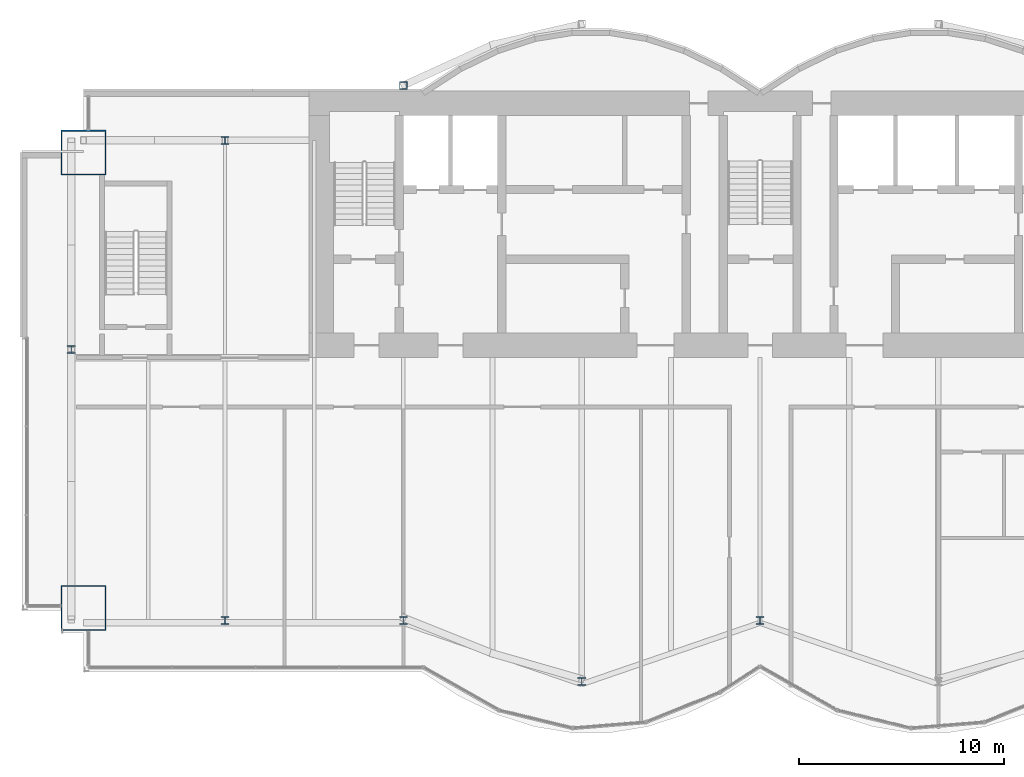
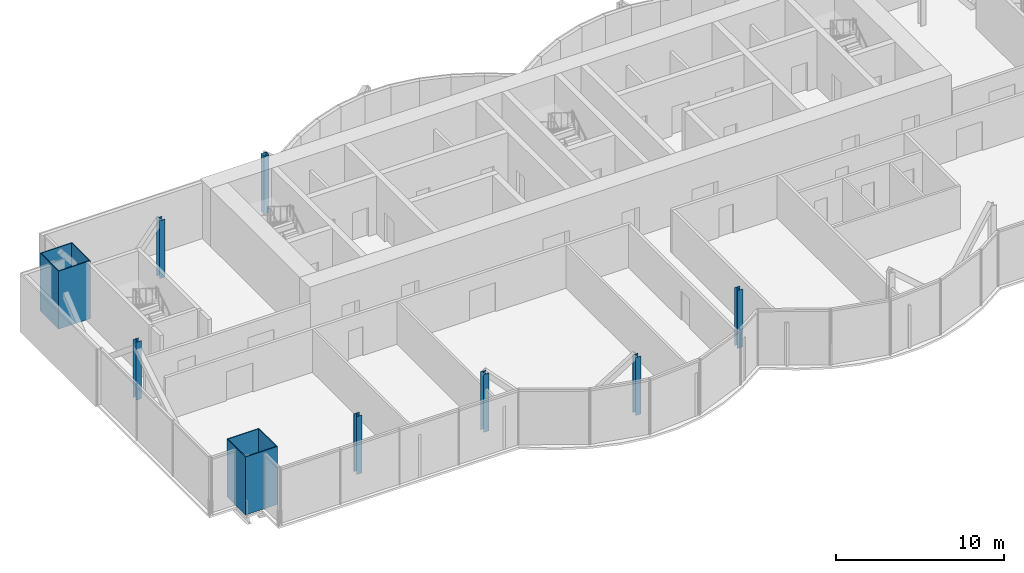
# One storey, part 1 of 19: 9 columns.
"""IFC4 building model written with IfcOpenShell, lengths in metres."""

from ifc_helpers import new_model, si_unit, direction, frame, origin, origin_2d, place, context, subcontext, project, spatial, hollow_rectangle, i_section, extrude, material, material_profile, profile_set, type_object, element, save


model = new_model("IFC4")

# Units and contexts
model_context = context("Model", 3, precision=1e-05, world=origin(), true_north=direction((0.0, 1.0)))
body_context = subcontext(model_context, "Body", "Model", "MODEL_VIEW")
ifc_project = project(units=[si_unit("LENGTHUNIT", "METRE"), si_unit("AREAUNIT", "SQUARE_METRE"), si_unit("VOLUMEUNIT", "CUBIC_METRE"), si_unit("PLANEANGLEUNIT", "RADIAN"), si_unit("MASSUNIT", "GRAM", prefix="KILO")], contexts=[model_context])

# Site, building, storey
site_placement = place(None, origin())
site = spatial("IfcSite", under=ifc_project, at=site_placement, CompositionType="ELEMENT")
building_placement = place(site_placement, origin())
building = spatial("IfcBuilding", under=site, at=building_placement, Name="Bicima Exchange Tower", CompositionType="ELEMENT")
storey_placement = place(building_placement, frame((0.0, 0.0, 275.0)))
storey = spatial("IfcBuildingStorey", under=building, at=storey_placement, Name="L62", CompositionType="ELEMENT", Elevation=275.0)

# Columns
ifc_material_1 = material(Name="Steel ASTM A572 Gr 50", Category="steel")
ifc_material_profile_1 = material_profile(ifc_material_1, hollow_rectangle(XDim=2.199951171875, YDim=2.199951171875, WallThickness=0.06005859375, at=origin_2d()))
ifc_profile_set_1 = profile_set([ifc_material_profile_1], Name="Steel ASTM A572 Gr 50")
column_type_1 = type_object("IfcColumnType", Name="Mega column BOX 2200x2200x60", PredefinedType="COLUMN", material=ifc_profile_set_1)
for number, where, z_axis, x_axis, name in (
    (1, (-33.0, -25.214111328125, 0.0), (0.0, 0.0, 1.0), (1.0, 0.0, 0.0), "Mega column mega-33.0f"),
    (2, (-33.0, -3.0, 0.0), (0.0, 0.0, 1.0), (1.0, 0.0, 0.0), "Mega column mega-33.0r"),
):
    element("IfcColumn", number, at=place(storey_placement, frame(where, z_axis=z_axis, x_axis=x_axis)), inside=storey, type_object=column_type_1, Name=name, PredefinedType="COLUMN", context=body_context, shape_type="SweptSolid", body=[
        extrude(hollow_rectangle(XDim=2.199951171875, YDim=2.199951171875, WallThickness=0.06005859375, at=origin_2d()), origin(), (0.0, 0.0, 1.0), 4.199951171875),
    ])
ifc_material_2 = material(Name="Steel ASTM A992 Gr 50", Category="steel")
ifc_material_profile_2 = material_profile(ifc_material_2, i_section(OverallWidth=0.370849609375, OverallDepth=0.36328125, WebThickness=0.013427734375, FlangeThickness=0.021728515625, at=origin_2d()))
ifc_profile_set_2 = profile_set([ifc_material_profile_2], Name="Steel ASTM A992 Gr 50")
column_type_2 = type_object("IfcColumnType", Name="Perimeter column W14x109", PredefinedType="COLUMN", material=ifc_profile_set_2)
for number, where, z_axis, x_axis, name in (
    (3, (-26.10009765625, -25.81396484375, 0.0), (0.0, 0.0, 1.0), (1.0, 0.0, 0.0), "Perimeter column grav-26.1f"),
    (4, (-26.10009765625, -2.39990234375, 0.0), (0.0, 0.0, 1.0), (1.0, 0.0, 0.0), "Perimeter column grav-26.1r"),
    (5, (-17.39990234375, -25.81396484375, 0.0), (0.0, 0.0, 1.0), (1.0, 0.0, 0.0), "Perimeter column grav-17.4f"),
    (6, (-8.699951171875, -28.80517578125, 0.0), (0.0, 0.0, 1.0), (1.0, 0.0, 0.0), "Perimeter column grav-8.7f"),
    (7, (0.0, -25.81396484375, 0.0), (0.0, 0.0, 1.0), (1.0, 0.0, 0.0), "Perimeter column grav-0.0f"),
    (8, (-33.60009765625, -12.60009765625, 0.0), (0.0, 0.0, 1.0), (1.0, 0.0, 0.0), "End column end-33.6e"),
):
    element("IfcColumn", number, at=place(storey_placement, frame(where, z_axis=z_axis, x_axis=x_axis)), inside=storey, type_object=column_type_2, Name=name, PredefinedType="COLUMN", context=body_context, shape_type="SweptSolid", body=[
        extrude(i_section(OverallWidth=0.370849609375, OverallDepth=0.36328125, WebThickness=0.013427734375, FlangeThickness=0.021728515625, at=origin_2d()), origin(), (0.0, 0.0, 1.0), 4.199951171875),
    ])
ifc_material_profile_3 = material_profile(ifc_material_1, hollow_rectangle(XDim=0.355712890625, YDim=0.355712890625, WallThickness=0.01171875, at=origin_2d()))
ifc_profile_set_3 = profile_set([ifc_material_profile_3], Name="Steel ASTM A572 Gr 50")
column_type_3 = type_object("IfcColumnType", Name="Rear pilaster HSS14x14x1/2", PredefinedType="COLUMN", material=ifc_profile_set_3)
column_placement = place(storey_placement, frame((-17.39990234375, 0.278076171875, 0.0), z_axis=(0.0, 0.0, 1.0), x_axis=(1.0, 0.0, 0.0)))
element("IfcColumn", 9, at=column_placement, inside=storey, type_object=column_type_3, Name="Rear pilaster rexo-17.4r", PredefinedType="COLUMN", context=body_context, shape_type="SweptSolid", body=[
    extrude(hollow_rectangle(XDim=0.355712890625, YDim=0.355712890625, WallThickness=0.01171875, at=origin_2d()), origin(), (0.0, 0.0, 1.0), 4.199951171875),
])

save(model, "model.ifc")
